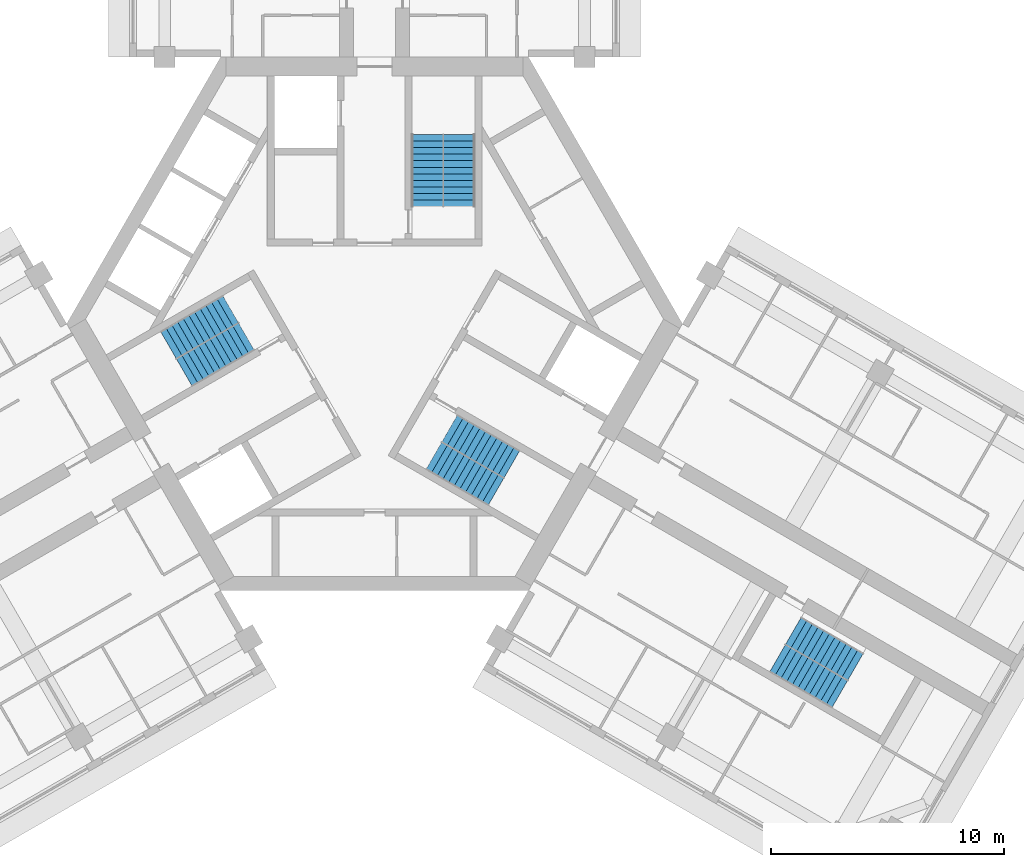
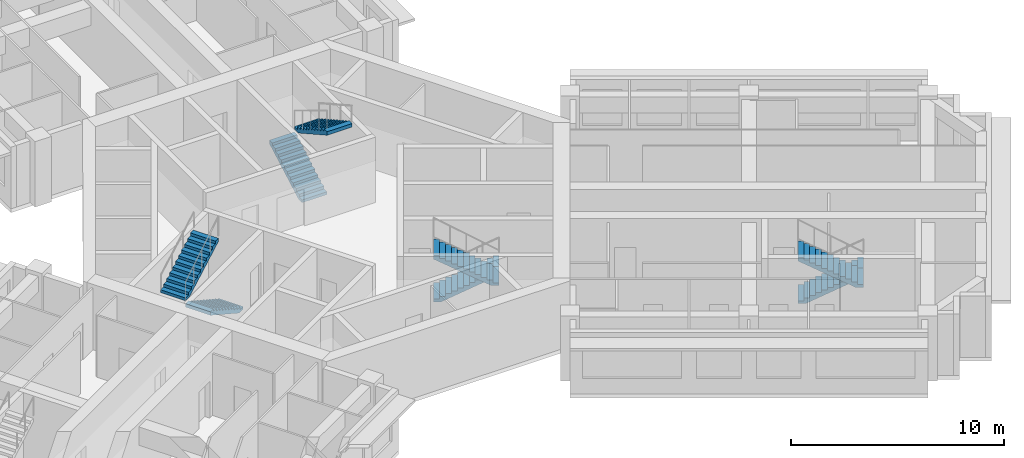
# One storey, part 9 of 10: 8 stair flights, 4 elements without a shape of their own.
"""IFC4 building model written with IfcOpenShell, lengths in metres."""

from ifc_helpers import new_model, si_unit, direction, frame, origin, place, context, subcontext, project, spatial, polyline, outline, extrude, material, type_object, element, aggregate, save


model = new_model("IFC4")

# Units and contexts
model_context = context("Model", 3, precision=1e-05, world=origin(), true_north=direction((0.0, 1.0)))
body_context = subcontext(model_context, "Body", "Model", "MODEL_VIEW")
ifc_project = project(units=[si_unit("LENGTHUNIT", "METRE"), si_unit("AREAUNIT", "SQUARE_METRE"), si_unit("VOLUMEUNIT", "CUBIC_METRE"), si_unit("PLANEANGLEUNIT", "RADIAN"), si_unit("MASSUNIT", "GRAM", prefix="KILO")], contexts=[model_context])

# Site, building, storey
site_placement = place(None, origin())
site = spatial("IfcSite", under=ifc_project, at=site_placement, CompositionType="ELEMENT")
building_placement = place(site_placement, origin())
building = spatial("IfcBuilding", under=site, at=building_placement, Name="Impinga Residences", CompositionType="ELEMENT")
storey_placement = place(building_placement, frame((0.0, 0.0, 271.0)))
storey = spatial("IfcBuildingStorey", under=building, at=storey_placement, Name="L68", CompositionType="ELEMENT", Elevation=271.0)

# Stair, stair flights
ifc_material = material(Name="Concrete C40/50", Category="concrete")
stair_type_1 = type_object("IfcStairType", Name="STR core stair 3750 storey, 24 risers", PredefinedType="HALF_TURN_STAIR", material=ifc_material)
stair_1_placement = place(storey_placement, origin())
stair_1 = element("IfcStair", 1, at=stair_1_placement, inside=storey, type_object=stair_type_1, Name="Stair ST1 L68", PredefinedType="HALF_TURN_STAIR")
stair_flight_type = type_object("IfcStairFlightType", Name="SF 12 risers of 156", PredefinedType="STRAIGHT", material=ifc_material)
stair_flight_1_placement = place(storey_placement, frame((2.27490234375, 5.030029296875, 0.0), z_axis=(0.0, 0.0, 1.0), x_axis=(0.0, 1.0, 0.0)))
stair_flight_1 = element("IfcStairFlight", 2, at=stair_flight_1_placement, type_object=stair_flight_type, Name="ST1 flight 1", NumberOfRisers=12, NumberOfTreads=11, PredefinedType="STRAIGHT", RiserHeight=0.15625, TreadLength=0.28, context=body_context, shape_type="SweptSolid", body=[
    extrude(outline(polyline([(0.0, 0.0), (0.0, 0.15625), (0.280029296875, 0.15625), (0.280029296875, 0.3125), (0.56005859375, 0.3125), (0.56005859375, 0.46875), (0.840087890625, 0.46875), (0.840087890625, 0.625), (1.1201171875, 0.625), (1.1201171875, 0.78125), (1.39990234375, 0.78125), (1.39990234375, 0.9375), (1.679931640625, 0.9375), (1.679931640625, 1.09375), (1.9599609375, 1.09375), (1.9599609375, 1.25), (2.239990234375, 1.25), (2.239990234375, 1.40625), (2.52001953125, 1.40625), (2.52001953125, 1.5625), (2.800048828125, 1.5625), (2.800048828125, 1.71875), (3.080078125, 1.71875), (3.080078125, 1.875), (3.080078125, 1.5126953125), (0.369140625, 0.0), (0.0, 0.0)])), frame((0.0, 0.675048828125, 0.0), z_axis=(0.0, -1.0, 0.0), x_axis=(1.0, 0.0, 0.0)), (0.0, 0.0, 1.0), 1.35009765625),
])
stair_flight_2_placement = place(storey_placement, frame((3.625, 8.110107421875, 1.875), z_axis=(0.0, 0.0, 1.0), x_axis=(0.0, -1.0, 0.0)))
stair_flight_2 = element("IfcStairFlight", 3, at=stair_flight_2_placement, type_object=stair_flight_type, Name="ST1 flight 2", NumberOfRisers=12, NumberOfTreads=11, PredefinedType="STRAIGHT", RiserHeight=0.15625, TreadLength=0.28, context=body_context, shape_type="SweptSolid", body=[
    extrude(outline(polyline([(0.0, 0.0), (0.0, 0.15625), (0.280029296875, 0.15625), (0.280029296875, 0.3125), (0.56005859375, 0.3125), (0.56005859375, 0.46875), (0.840087890625, 0.46875), (0.840087890625, 0.625), (1.1201171875, 0.625), (1.1201171875, 0.78125), (1.39990234375, 0.78125), (1.39990234375, 0.9375), (1.679931640625, 0.9375), (1.679931640625, 1.09375), (1.9599609375, 1.09375), (1.9599609375, 1.25), (2.239990234375, 1.25), (2.239990234375, 1.40625), (2.52001953125, 1.40625), (2.52001953125, 1.5625), (2.800048828125, 1.5625), (2.800048828125, 1.71875), (3.080078125, 1.71875), (3.080078125, 1.875), (3.080078125, 1.5126953125), (0.369140625, 0.0), (0.0, 0.0)])), frame((0.0, 0.675048828125, 0.0), z_axis=(0.0, -1.0, 0.0), x_axis=(1.0, 0.0, 0.0)), (0.0, 0.0, 1.0), 1.35009765625),
])
aggregate(stair_1, [stair_flight_1, stair_flight_2])

stair_2_placement = place(storey_placement, origin())
stair_2 = element("IfcStair", 4, at=stair_2_placement, inside=storey, type_object=stair_type_1, Name="Stair ST2 L68", PredefinedType="HALF_TURN_STAIR")
stair_flight_3_placement = place(storey_placement, frame((-5.49365234375, -0.544677734375, 0.0), z_axis=(0.0, 0.0, 1.0), x_axis=(-0.866025403784, -0.5, 0.0)))
stair_flight_3 = element("IfcStairFlight", 5, at=stair_flight_3_placement, type_object=stair_flight_type, Name="ST2 flight 1", NumberOfRisers=12, NumberOfTreads=11, PredefinedType="STRAIGHT", RiserHeight=0.15625, TreadLength=0.28, context=body_context, shape_type="SweptSolid", body=[
    extrude(outline(polyline([(0.0, 0.0), (0.0, 0.15625), (0.280029296875, 0.15625), (0.280029296875, 0.3125), (0.56005859375, 0.3125), (0.56005859375, 0.46875), (0.840087890625, 0.46875), (0.840087890625, 0.625), (1.1201171875, 0.625), (1.1201171875, 0.78125), (1.39990234375, 0.78125), (1.39990234375, 0.9375), (1.679931640625, 0.9375), (1.679931640625, 1.09375), (1.9599609375, 1.09375), (1.9599609375, 1.25), (2.239990234375, 1.25), (2.239990234375, 1.40625), (2.52001953125, 1.40625), (2.52001953125, 1.5625), (2.800048828125, 1.5625), (2.800048828125, 1.71875), (3.080078125, 1.71875), (3.080078125, 1.875), (3.080078125, 1.5126953125), (0.369140625, 0.0), (0.0, 0.0)])), frame((0.0, 0.675048828125, 0.0), z_axis=(0.0, -1.0, 0.0), x_axis=(1.0, 0.0, 0.0)), (0.0, 0.0, 1.0), 1.35009765625),
])
stair_flight_4_placement = place(storey_placement, frame((-8.8359375, -0.915771484375, 1.875), z_axis=(0.0, 0.0, 1.0), x_axis=(0.866025403784, 0.5, 0.0)))
stair_flight_4 = element("IfcStairFlight", 6, at=stair_flight_4_placement, type_object=stair_flight_type, Name="ST2 flight 2", NumberOfRisers=12, NumberOfTreads=11, PredefinedType="STRAIGHT", RiserHeight=0.15625, TreadLength=0.28, context=body_context, shape_type="SweptSolid", body=[
    extrude(outline(polyline([(0.0, 0.0), (0.0, 0.15625), (0.280029296875, 0.15625), (0.280029296875, 0.3125), (0.56005859375, 0.3125), (0.56005859375, 0.46875), (0.840087890625, 0.46875), (0.840087890625, 0.625), (1.1201171875, 0.625), (1.1201171875, 0.78125), (1.39990234375, 0.78125), (1.39990234375, 0.9375), (1.679931640625, 0.9375), (1.679931640625, 1.09375), (1.9599609375, 1.09375), (1.9599609375, 1.25), (2.239990234375, 1.25), (2.239990234375, 1.40625), (2.52001953125, 1.40625), (2.52001953125, 1.5625), (2.800048828125, 1.5625), (2.800048828125, 1.71875), (3.080078125, 1.71875), (3.080078125, 1.875), (3.080078125, 1.5126953125), (0.369140625, 0.0), (0.0, 0.0)])), frame((0.0, 0.675048828125, 0.0), z_axis=(0.0, -1.0, 0.0), x_axis=(1.0, 0.0, 0.0)), (0.0, 0.0, 1.0), 1.35009765625),
])
aggregate(stair_2, [stair_flight_3, stair_flight_4])

stair_3_placement = place(storey_placement, origin())
stair_3 = element("IfcStair", 7, at=stair_3_placement, inside=storey, type_object=stair_type_1, Name="Stair ST3 L68", PredefinedType="HALF_TURN_STAIR")
stair_flight_5_placement = place(storey_placement, frame((3.218505859375, -4.485107421875, 0.0), z_axis=(0.0, 0.0, 1.0), x_axis=(0.866025403784, -0.5, 0.0)))
stair_flight_5 = element("IfcStairFlight", 8, at=stair_flight_5_placement, type_object=stair_flight_type, Name="ST3 flight 1", NumberOfRisers=12, NumberOfTreads=11, PredefinedType="STRAIGHT", RiserHeight=0.15625, TreadLength=0.28, context=body_context, shape_type="SweptSolid", body=[
    extrude(outline(polyline([(0.0, 0.0), (0.0, 0.15625), (0.280029296875, 0.15625), (0.280029296875, 0.3125), (0.56005859375, 0.3125), (0.56005859375, 0.46875), (0.840087890625, 0.46875), (0.840087890625, 0.625), (1.1201171875, 0.625), (1.1201171875, 0.78125), (1.39990234375, 0.78125), (1.39990234375, 0.9375), (1.679931640625, 0.9375), (1.679931640625, 1.09375), (1.9599609375, 1.09375), (1.9599609375, 1.25), (2.239990234375, 1.25), (2.239990234375, 1.40625), (2.52001953125, 1.40625), (2.52001953125, 1.5625), (2.800048828125, 1.5625), (2.800048828125, 1.71875), (3.080078125, 1.71875), (3.080078125, 1.875), (3.080078125, 1.5126953125), (0.369140625, 0.0), (0.0, 0.0)])), frame((0.0, 0.675048828125, 0.0), z_axis=(0.0, -1.0, 0.0), x_axis=(1.0, 0.0, 0.0)), (0.0, 0.0, 1.0), 1.35009765625),
])
stair_flight_6_placement = place(storey_placement, frame((5.2109375, -7.1943359375, 1.875), z_axis=(0.0, 0.0, 1.0), x_axis=(-0.866025403784, 0.5, 0.0)))
stair_flight_6 = element("IfcStairFlight", 9, at=stair_flight_6_placement, type_object=stair_flight_type, Name="ST3 flight 2", NumberOfRisers=12, NumberOfTreads=11, PredefinedType="STRAIGHT", RiserHeight=0.15625, TreadLength=0.28, context=body_context, shape_type="SweptSolid", body=[
    extrude(outline(polyline([(0.0, 0.0), (0.0, 0.15625), (0.280029296875, 0.15625), (0.280029296875, 0.3125), (0.56005859375, 0.3125), (0.56005859375, 0.46875), (0.840087890625, 0.46875), (0.840087890625, 0.625), (1.1201171875, 0.625), (1.1201171875, 0.78125), (1.39990234375, 0.78125), (1.39990234375, 0.9375), (1.679931640625, 0.9375), (1.679931640625, 1.09375), (1.9599609375, 1.09375), (1.9599609375, 1.25), (2.239990234375, 1.25), (2.239990234375, 1.40625), (2.52001953125, 1.40625), (2.52001953125, 1.5625), (2.800048828125, 1.5625), (2.800048828125, 1.71875), (3.080078125, 1.71875), (3.080078125, 1.875), (3.080078125, 1.5126953125), (0.369140625, 0.0), (0.0, 0.0)])), frame((0.0, 0.675048828125, 0.0), z_axis=(0.0, -1.0, 0.0), x_axis=(1.0, 0.0, 0.0)), (0.0, 0.0, 1.0), 1.35009765625),
])
aggregate(stair_3, [stair_flight_5, stair_flight_6])

stair_type_2 = type_object("IfcStairType", Name="STR wing stair 3750 storey, 24 risers", PredefinedType="HALF_TURN_STAIR", material=ifc_material)
stair_4_placement = place(storey_placement, origin())
stair_4 = element("IfcStair", 10, at=stair_4_placement, inside=storey, type_object=stair_type_2, Name="Stair WS3 L68", PredefinedType="HALF_TURN_STAIR")
stair_flight_7_placement = place(storey_placement, frame((17.953857421875, -13.165771484375, 0.0), z_axis=(0.0, 0.0, 1.0), x_axis=(0.866025403784, -0.5, 0.0)))
stair_flight_7 = element("IfcStairFlight", 11, at=stair_flight_7_placement, type_object=stair_flight_type, Name="WS3 flight 1", NumberOfRisers=12, NumberOfTreads=11, PredefinedType="STRAIGHT", RiserHeight=0.15625, TreadLength=0.28, context=body_context, shape_type="SweptSolid", body=[
    extrude(outline(polyline([(0.0, 0.0), (0.0, 0.15625), (0.280029296875, 0.15625), (0.280029296875, 0.3125), (0.56005859375, 0.3125), (0.56005859375, 0.46875), (0.840087890625, 0.46875), (0.840087890625, 0.625), (1.1201171875, 0.625), (1.1201171875, 0.78125), (1.39990234375, 0.78125), (1.39990234375, 0.9375), (1.679931640625, 0.9375), (1.679931640625, 1.09375), (1.9599609375, 1.09375), (1.9599609375, 1.25), (2.239990234375, 1.25), (2.239990234375, 1.40625), (2.52001953125, 1.40625), (2.52001953125, 1.5625), (2.800048828125, 1.5625), (2.800048828125, 1.71875), (3.080078125, 1.71875), (3.080078125, 1.875), (3.080078125, 1.5126953125), (0.369140625, 0.0), (0.0, 0.0)])), frame((0.0, 0.675048828125, 0.0), z_axis=(0.0, -1.0, 0.0), x_axis=(1.0, 0.0, 0.0)), (0.0, 0.0, 1.0), 1.35009765625),
])
stair_flight_8_placement = place(storey_placement, frame((19.9462890625, -15.875, 1.875), z_axis=(0.0, 0.0, 1.0), x_axis=(-0.866025403784, 0.5, 0.0)))
stair_flight_8 = element("IfcStairFlight", 12, at=stair_flight_8_placement, type_object=stair_flight_type, Name="WS3 flight 2", NumberOfRisers=12, NumberOfTreads=11, PredefinedType="STRAIGHT", RiserHeight=0.15625, TreadLength=0.28, context=body_context, shape_type="SweptSolid", body=[
    extrude(outline(polyline([(0.0, 0.0), (0.0, 0.15625), (0.280029296875, 0.15625), (0.280029296875, 0.3125), (0.56005859375, 0.3125), (0.56005859375, 0.46875), (0.840087890625, 0.46875), (0.840087890625, 0.625), (1.1201171875, 0.625), (1.1201171875, 0.78125), (1.39990234375, 0.78125), (1.39990234375, 0.9375), (1.679931640625, 0.9375), (1.679931640625, 1.09375), (1.9599609375, 1.09375), (1.9599609375, 1.25), (2.239990234375, 1.25), (2.239990234375, 1.40625), (2.52001953125, 1.40625), (2.52001953125, 1.5625), (2.800048828125, 1.5625), (2.800048828125, 1.71875), (3.080078125, 1.71875), (3.080078125, 1.875), (3.080078125, 1.5126953125), (0.369140625, 0.0), (0.0, 0.0)])), frame((0.0, 0.675048828125, 0.0), z_axis=(0.0, -1.0, 0.0), x_axis=(1.0, 0.0, 0.0)), (0.0, 0.0, 1.0), 1.35009765625),
])
aggregate(stair_4, [stair_flight_7, stair_flight_8])

save(model, "model.ifc")
